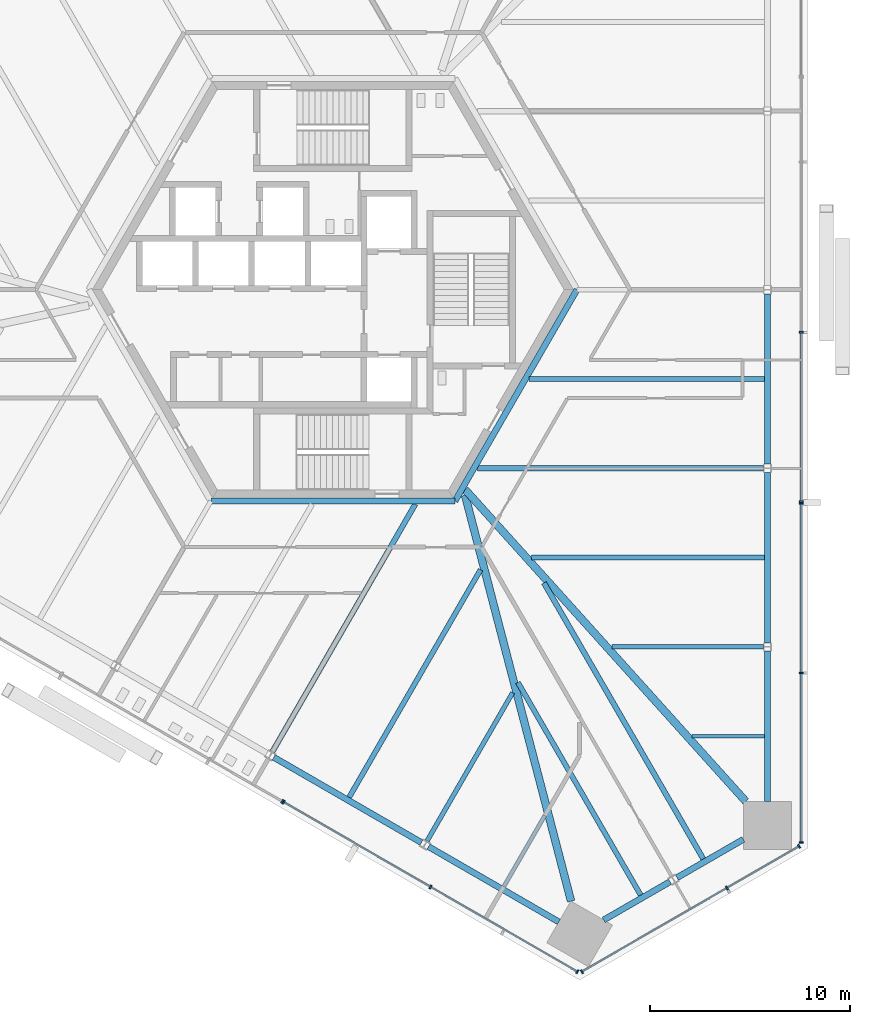
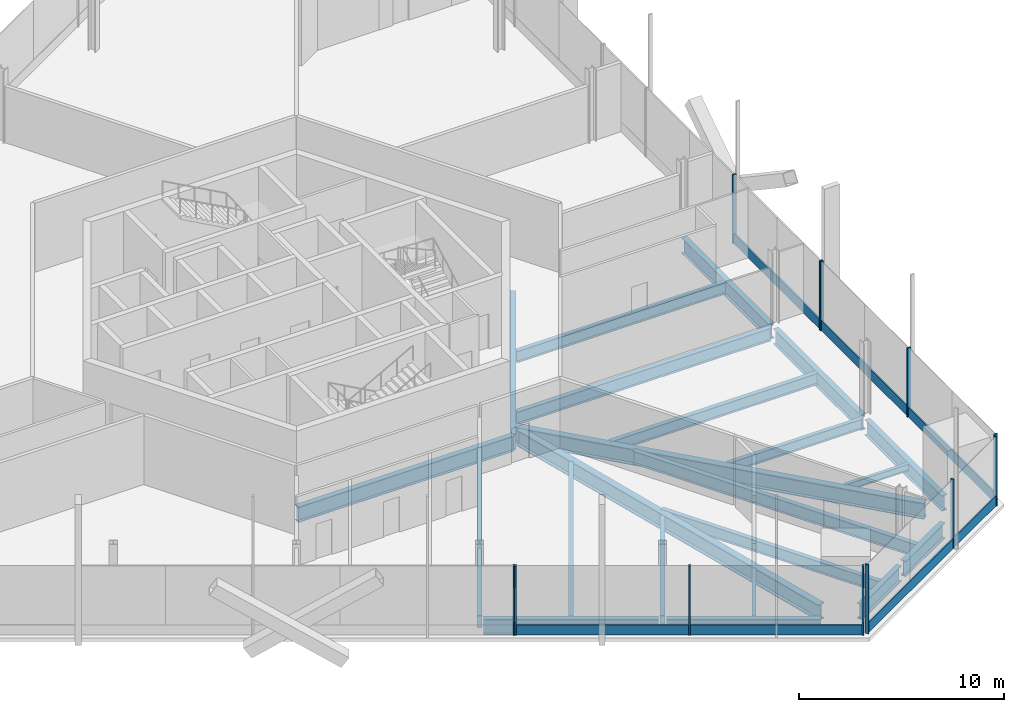
# One storey, part 4 of 18: 22 beams, 19 members, 5 elements without a shape of their own.
"""IFC4 building model written with IfcOpenShell, lengths in metres."""

from ifc_helpers import new_model, si_unit, direction, frame, origin, origin_2d, place, context, subcontext, project, spatial, rectangle, i_section, extrude, source, transform, mapped, material, material_profile, profile_set, type_object, element, aggregate, save


model = new_model("IFC4")

# Units and contexts
model_context = context("Model", 3, precision=1e-05, world=origin(), true_north=direction((0.0, 1.0)))
body_context = subcontext(model_context, "Body", "Model", "MODEL_VIEW")
ifc_project = project(units=[si_unit("LENGTHUNIT", "METRE"), si_unit("AREAUNIT", "SQUARE_METRE"), si_unit("VOLUMEUNIT", "CUBIC_METRE"), si_unit("PLANEANGLEUNIT", "RADIAN"), si_unit("MASSUNIT", "GRAM", prefix="KILO")], contexts=[model_context])

# Site, building, storey
site_placement = place(None, origin())
site = spatial("IfcSite", under=ifc_project, at=site_placement, CompositionType="ELEMENT")
building_placement = place(site_placement, origin())
building = spatial("IfcBuilding", under=site, at=building_placement, Name="Triune Harvest Tower", CompositionType="ELEMENT")
storey_placement = place(building_placement, frame((0.0, 0.0, 33.199951171875)))
storey = spatial("IfcBuildingStorey", under=building, at=storey_placement, Name="L07", CompositionType="ELEMENT", Elevation=33.199951171875)

# Beams
ifc_material_1 = material(Name="Steel ASTM A992 Gr 50", Category="steel")
ifc_material_profile_1 = material_profile(ifc_material_1, i_section(OverallWidth=0.3046875, OverallDepth=0.914306640625, WebThickness=0.0166015625, FlangeThickness=0.02587890625, at=origin_2d()), Name="W36x160")
ifc_profile_set_1 = profile_set([ifc_material_profile_1], Name="Steel ASTM A992 Gr 50")
beam_type_1 = type_object("IfcBeamType", Name="CG-1 Core ring girder W36x160", PredefinedType="BEAM", material=ifc_profile_set_1)
shared_shape_1 = source(origin(), body_context, "Body", "SweptSolid", [
    extrude(i_section(OverallWidth=0.3046875, OverallDepth=0.914306640625, WebThickness=0.0166015625, FlangeThickness=0.02587890625, at=origin_2d()), origin(), (0.0, 0.0, 1.0), 12.176025390625),
])
beam_1_placement = place(storey_placement, frame((6.087890625, -10.544677734375, -0.6572265625), z_axis=(0.5000099932, 0.866019634131, 0.0), x_axis=(-0.866019634131, 0.5000099932, 0.0)))
element("IfcBeam", 1, at=beam_1_placement, inside=storey, type_object=beam_type_1, Name="beam/L07/CG6", PredefinedType="BEAM", context=body_context, shape_type="MappedRepresentation", body=[
    mapped(shared_shape_1, transform((0.0, 0.0, 0.0), scale=1.0)),
])
shared_shape_2 = source(origin(), body_context, "Body", "SweptSolid", [
    extrude(i_section(OverallWidth=0.3046875, OverallDepth=0.914306640625, WebThickness=0.0166015625, FlangeThickness=0.02587890625, at=origin_2d()), origin(), (0.0, 0.0, 1.0), 12.17578125),
])
beam_2_placement = place(storey_placement, frame((-6.087890625, -10.544677734375, -0.6572265625), z_axis=(1.0, 0.0, 0.0), x_axis=(0.0, 1.0, 0.0)))
element("IfcBeam", 2, at=beam_2_placement, inside=storey, type_object=beam_type_1, Name="beam/L07/CG5", PredefinedType="BEAM", context=body_context, shape_type="MappedRepresentation", body=[
    mapped(shared_shape_2, transform((0.0, 0.0, 0.0), scale=1.0)),
])
ifc_material_2 = material(Name="Steel ASTM A992 Gr 50", Category="steel")
ifc_material_profile_2 = material_profile(ifc_material_2, i_section(OverallWidth=0.383544921875, OverallDepth=0.9423828125, WebThickness=0.022216796875, FlangeThickness=0.039794921875, at=origin_2d()), Name="W36x232")
ifc_profile_set_2 = profile_set([ifc_material_profile_2], Name="Steel ASTM A992 Gr 50")
beam_type_2 = type_object("IfcBeamType", Name="HG-1 Hip girder W36x232", PredefinedType="BEAM", material=ifc_profile_set_2)
shared_shape_3 = source(origin(), body_context, "Body", "SweptSolid", [
    extrude(i_section(OverallWidth=0.383544921875, OverallDepth=0.9423828125, WebThickness=0.022216796875, FlangeThickness=0.039794921875, at=origin_2d()), origin(), (0.0, 0.0, 1.0), 20.933349609375),
])
beam_3_placement = place(storey_placement, frame((20.599365234375, -25.530029296875, -0.671142578125), z_axis=(-0.668990505388, 0.743270949049, 0.0), x_axis=(-0.743270949049, -0.668990505388, 0.0)))
element("IfcBeam", 3, at=beam_3_placement, inside=storey, type_object=beam_type_2, Name="beam/L07/HG1", PredefinedType="BEAM", context=body_context, shape_type="MappedRepresentation", body=[
    mapped(shared_shape_3, transform((0.0, 0.0, 0.0), scale=1.0)),
])
shared_shape_4 = source(origin(), body_context, "Body", "SweptSolid", [
    extrude(i_section(OverallWidth=0.383544921875, OverallDepth=0.9423828125, WebThickness=0.022216796875, FlangeThickness=0.039794921875, at=origin_2d()), origin(), (0.0, 0.0, 1.0), 20.931884765625),
])
beam_4_placement = place(storey_placement, frame((11.8828125, -30.50830078125, -0.671142578125), z_axis=(-0.252690148393, 0.967547254094, 0.0), x_axis=(-0.967547254094, -0.252690148393, 0.0)))
element("IfcBeam", 4, at=beam_4_placement, inside=storey, type_object=beam_type_2, Name="beam/L07/HG6", PredefinedType="BEAM", context=body_context, shape_type="MappedRepresentation", body=[
    mapped(shared_shape_4, transform((0.0, 0.0, 0.0), scale=1.0)),
])
ifc_material_3 = material(Name="Steel ASTM A992 Gr 50", Category="steel")
ifc_material_profile_3 = material_profile(ifc_material_3, i_section(OverallWidth=0.22900390625, OverallDepth=0.612060546875, WebThickness=0.011962890625, FlangeThickness=0.01953125, at=origin_2d()), Name="W24x84")
ifc_profile_set_3 = profile_set([ifc_material_profile_3], Name="Steel ASTM A992 Gr 50")
beam_type_3 = type_object("IfcBeamType", Name="JT-3 Floor joist W24x84", PredefinedType="JOIST", material=ifc_profile_set_3)
shared_shape_5 = source(origin(), body_context, "Body", "SweptSolid", [
    extrude(i_section(OverallWidth=0.22900390625, OverallDepth=0.612060546875, WebThickness=0.011962890625, FlangeThickness=0.01953125, at=origin_2d()), origin(), (0.0, 0.0, 1.0), 7.558349609375),
])
beam_5_placement = place(storey_placement, frame((21.476318359375, -17.820068359375, -0.506103515625), z_axis=(-1.0, 0.0, 0.0), x_axis=(0.0, -1.0, 0.0)))
element("IfcBeam", 5, at=beam_5_placement, inside=storey, type_object=beam_type_3, Name="beam/L07/JT2", PredefinedType="JOIST", context=body_context, shape_type="MappedRepresentation", body=[
    mapped(shared_shape_5, transform((0.0, 0.0, 0.0), scale=1.0)),
])
ifc_material_4 = material(Name="Steel ASTM A992 Gr 50", Category="steel")
ifc_material_profile_4 = material_profile(ifc_material_4, i_section(OverallWidth=0.2666015625, OverallDepth=0.7568359375, WebThickness=0.013916015625, FlangeThickness=0.019287109375, at=origin_2d()), Name="W30x108")
ifc_profile_set_4 = profile_set([ifc_material_profile_4], Name="Steel ASTM A992 Gr 50")
beam_type_4 = type_object("IfcBeamType", Name="JT-5 Floor joist W30x108", PredefinedType="JOIST", material=ifc_profile_set_4)
shared_shape_6 = source(origin(), body_context, "Body", "SweptSolid", [
    extrude(i_section(OverallWidth=0.2666015625, OverallDepth=0.7568359375, WebThickness=0.013916015625, FlangeThickness=0.019287109375, at=origin_2d()), origin(), (0.0, 0.0, 1.0), 14.2685546875),
])
for number, where, z_axis, x_axis, name in (
    (6, (21.476318359375, -8.909912109375, -0.578369140625), (-1.0, 0.0, 0.0), (0.0, -1.0, 0.0), "beam/L07/JT4"),
    (7, (-3.02197265625, -23.053955078125, -0.578369140625), (0.499999916269, 0.866025452127, 0.0), (-0.866025452127, 0.499999916269, 0.0), "beam/L07/JT34"),
):
    element("IfcBeam", number, at=place(storey_placement, frame(where, z_axis=z_axis, x_axis=x_axis)), inside=storey, type_object=beam_type_4, Name=name, PredefinedType="JOIST", context=body_context, shape_type="MappedRepresentation", body=[
        mapped(shared_shape_6, transform((0.0, 0.0, 0.0), scale=1.0)),
    ])
shared_shape_7 = source(origin(), body_context, "Body", "SweptSolid", [
    extrude(i_section(OverallWidth=0.22900390625, OverallDepth=0.612060546875, WebThickness=0.011962890625, FlangeThickness=0.01953125, at=origin_2d()), origin(), (0.0, 0.0, 1.0), 8.54736328125),
])
beam_6_placement = place(storey_placement, frame((4.6943359375, -27.509033203125, -0.506103515625), z_axis=(0.499994426748, 0.866028621479, 0.0), x_axis=(-0.866028621479, 0.499994426748, 0.0)))
element("IfcBeam", 8, at=beam_6_placement, inside=storey, type_object=beam_type_3, Name="beam/L07/JT36", PredefinedType="JOIST", context=body_context, shape_type="MappedRepresentation", body=[
    mapped(shared_shape_7, transform((0.0, 0.0, 0.0), scale=1.0)),
])
ifc_material_5 = material(Name="Steel ASTM A992 Gr 50", Category="steel")
ifc_material_profile_5 = material_profile(ifc_material_5, i_section(OverallWidth=0.3046875, OverallDepth=0.914306640625, WebThickness=0.0166015625, FlangeThickness=0.02587890625, at=origin_2d()), Name="W36x160")
ifc_profile_set_5 = profile_set([ifc_material_profile_5], Name="Steel ASTM A992 Gr 50")
beam_type_5 = type_object("IfcBeamType", Name="SB-1 Spandrel beam W36x160", PredefinedType="SPANDREL", material=ifc_profile_set_5)
shared_shape_8 = source(origin(), body_context, "Body", "SweptSolid", [
    extrude(i_section(OverallWidth=0.3046875, OverallDepth=0.914306640625, WebThickness=0.0166015625, FlangeThickness=0.02587890625, at=origin_2d()), origin(), (0.0, 0.0, 1.0), 7.508056640625),
])
beam_7_placement = place(storey_placement, frame((21.679443359375, -25.530029296875, -0.6572265625), z_axis=(0.0, 1.0, 0.0), x_axis=(-1.0, 0.0, 0.0)))
element("IfcBeam", 9, at=beam_7_placement, inside=storey, type_object=beam_type_5, Name="beam/L07/SB1", PredefinedType="SPANDREL", context=body_context, shape_type="MappedRepresentation", body=[
    mapped(shared_shape_8, transform((0.0, 0.0, 0.0), scale=1.0)),
])
shared_shape_9 = source(origin(), body_context, "Body", "SweptSolid", [
    extrude(i_section(OverallWidth=0.3046875, OverallDepth=0.914306640625, WebThickness=0.0166015625, FlangeThickness=0.02587890625, at=origin_2d()), origin(), (0.0, 0.0, 1.0), 8.50634765625),
])
beam_8_placement = place(storey_placement, frame((21.679443359375, -17.6181640625, -0.6572265625), z_axis=(0.0, 1.0, 0.0), x_axis=(-1.0, 0.0, 0.0)))
element("IfcBeam", 10, at=beam_8_placement, inside=storey, type_object=beam_type_5, Name="beam/L07/SB2", PredefinedType="SPANDREL", context=body_context, shape_type="MappedRepresentation", body=[
    mapped(shared_shape_9, transform((0.0, 0.0, 0.0), scale=1.0)),
])
shared_shape_10 = source(origin(), body_context, "Body", "SweptSolid", [
    extrude(i_section(OverallWidth=0.3046875, OverallDepth=0.914306640625, WebThickness=0.0166015625, FlangeThickness=0.02587890625, at=origin_2d()), origin(), (0.0, 0.0, 1.0), 8.506103515625),
])
for number, where, z_axis, x_axis, name in (
    (11, (21.679443359375, -8.7080078125, -0.6572265625), (0.0, 1.0, 0.0), (-1.0, 0.0, 0.0), "beam/L07/SB3"),
    (12, (-2.948486328125, -23.3310546875, -0.6572265625), (0.866030246746, -0.49999161165, 0.0), (0.49999161165, 0.866030246746, 0.0), "beam/L07/SB21"),
):
    element("IfcBeam", number, at=place(storey_placement, frame(where, z_axis=z_axis, x_axis=x_axis)), inside=storey, type_object=beam_type_5, Name=name, PredefinedType="SPANDREL", context=body_context, shape_type="MappedRepresentation", body=[
        mapped(shared_shape_10, transform((0.0, 0.0, 0.0), scale=1.0)),
    ])
shared_shape_11 = source(origin(), body_context, "Body", "SweptSolid", [
    extrude(i_section(OverallWidth=0.3046875, OverallDepth=0.914306640625, WebThickness=0.0166015625, FlangeThickness=0.02587890625, at=origin_2d()), origin(), (0.0, 0.0, 1.0), 3.822265625),
])
beam_9_placement = place(storey_placement, frame((17.169189453125, -29.333984375, -0.6572265625), z_axis=(0.866033487859, 0.499985997711, 0.0), x_axis=(-0.499985997711, 0.866033487859, 0.0)))
element("IfcBeam", 13, at=beam_9_placement, inside=storey, type_object=beam_type_5, Name="beam/L07/SB24", PredefinedType="SPANDREL", context=body_context, shape_type="MappedRepresentation", body=[
    mapped(shared_shape_11, transform((0.0, 0.0, 0.0), scale=1.0)),
])
shared_shape_12 = source(origin(), body_context, "Body", "SweptSolid", [
    extrude(i_section(OverallWidth=0.3046875, OverallDepth=0.914306640625, WebThickness=0.0166015625, FlangeThickness=0.02587890625, at=origin_2d()), origin(), (0.0, 0.0, 1.0), 3.822509765625),
])
beam_10_placement = place(storey_placement, frame((13.509033203125, -31.447265625, -0.6572265625), z_axis=(0.866005830769, 0.500033899925, 0.0), x_axis=(-0.500033899925, 0.866005830769, 0.0)))
element("IfcBeam", 14, at=beam_10_placement, inside=storey, type_object=beam_type_5, Name="beam/L07/SB23", PredefinedType="SPANDREL", context=body_context, shape_type="MappedRepresentation", body=[
    mapped(shared_shape_12, transform((0.0, 0.0, 0.0), scale=1.0)),
])
shared_shape_13 = source(origin(), body_context, "Body", "SweptSolid", [
    extrude(i_section(OverallWidth=0.3046875, OverallDepth=0.914306640625, WebThickness=0.0166015625, FlangeThickness=0.02587890625, at=origin_2d()), origin(), (0.0, 0.0, 1.0), 7.50830078125),
])
beam_11_placement = place(storey_placement, frame((4.767578125, -27.785888671875, -0.6572265625), z_axis=(0.866027474485, -0.499996413425, 0.0), x_axis=(0.499996413425, 0.866027474485, 0.0)))
element("IfcBeam", 15, at=beam_11_placement, inside=storey, type_object=beam_type_5, Name="beam/L07/SB22", PredefinedType="SPANDREL", context=body_context, shape_type="MappedRepresentation", body=[
    mapped(shared_shape_13, transform((0.0, 0.0, 0.0), scale=1.0)),
])
ifc_material_6 = material(Name="Steel ASTM A992 Gr 50", Category="steel")
ifc_material_profile_6 = material_profile(ifc_material_6, i_section(OverallWidth=0.180908203125, OverallDepth=0.41650390625, WebThickness=0.010986328125, FlangeThickness=0.01806640625, at=origin_2d()), Name="W16x57")
ifc_profile_set_6 = profile_set([ifc_material_profile_6], Name="Steel ASTM A992 Gr 50")
beam_type_6 = type_object("IfcBeamType", Name="JT-1 Floor joist W16x57", PredefinedType="JOIST", material=ifc_profile_set_6)
shared_shape_14 = source(origin(), body_context, "Body", "SweptSolid", [
    extrude(i_section(OverallWidth=0.180908203125, OverallDepth=0.41650390625, WebThickness=0.010986328125, FlangeThickness=0.01806640625, at=origin_2d()), origin(), (0.0, 0.0, 1.0), 3.599365234375),
])
beam_12_placement = place(storey_placement, frame((21.527099609375, -22.27490234375, -0.408203125), z_axis=(-1.0, 0.0, 0.0), x_axis=(0.0, -1.0, 0.0)))
element("IfcBeam", 16, at=beam_12_placement, inside=storey, type_object=beam_type_6, Name="beam/L07/JT1", PredefinedType="JOIST", context=body_context, shape_type="MappedRepresentation", body=[
    mapped(shared_shape_14, transform((0.0, 0.0, 0.0), scale=1.0)),
])
ifc_material_7 = material(Name="Steel ASTM A992 Gr 50", Category="steel")
ifc_material_profile_7 = material_profile(ifc_material_7, i_section(OverallWidth=0.253662109375, OverallDepth=0.683349609375, WebThickness=0.012451171875, FlangeThickness=0.01904296875, at=origin_2d()), Name="W27x94")
ifc_profile_set_7 = profile_set([ifc_material_profile_7], Name="Steel ASTM A992 Gr 50")
beam_type_7 = type_object("IfcBeamType", Name="JT-4 Floor joist W27x94", PredefinedType="JOIST", material=ifc_profile_set_7)
shared_shape_15 = source(origin(), body_context, "Body", "SweptSolid", [
    extrude(i_section(OverallWidth=0.253662109375, OverallDepth=0.683349609375, WebThickness=0.012451171875, FlangeThickness=0.01904296875, at=origin_2d()), origin(), (0.0, 0.0, 1.0), 11.619140625),
])
beam_13_placement = place(storey_placement, frame((21.527099609375, -13.364990234375, -0.54150390625), z_axis=(-1.0, 0.0, 0.0), x_axis=(0.0, -1.0, 0.0)))
element("IfcBeam", 17, at=beam_13_placement, inside=storey, type_object=beam_type_7, Name="beam/L07/JT3", PredefinedType="JOIST", context=body_context, shape_type="MappedRepresentation", body=[
    mapped(shared_shape_15, transform((0.0, 0.0, 0.0), scale=1.0)),
])
shared_shape_16 = source(origin(), body_context, "Body", "SweptSolid", [
    extrude(i_section(OverallWidth=0.253662109375, OverallDepth=0.683349609375, WebThickness=0.012451171875, FlangeThickness=0.01904296875, at=origin_2d()), origin(), (0.0, 0.0, 1.0), 11.747314453125),
])
beam_14_placement = place(storey_placement, frame((21.527099609375, -4.455078125, -0.54150390625), z_axis=(-1.0, 0.0, 0.0), x_axis=(0.0, -1.0, 0.0)))
element("IfcBeam", 18, at=beam_14_placement, inside=storey, type_object=beam_type_7, Name="beam/L07/JT5", PredefinedType="JOIST", context=body_context, shape_type="MappedRepresentation", body=[
    mapped(shared_shape_16, transform((0.0, 0.0, 0.0), scale=1.0)),
])
shared_shape_17 = source(origin(), body_context, "Body", "SweptSolid", [
    extrude(i_section(OverallWidth=0.253662109375, OverallDepth=0.683349609375, WebThickness=0.012451171875, FlangeThickness=0.01904296875, at=origin_2d()), origin(), (0.0, 0.0, 1.0), 13.110107421875),
])
beam_15_placement = place(storey_placement, frame((0.810791015625, -25.325439453125, -0.54150390625), z_axis=(0.500012613137, 0.866018121464, 0.0), x_axis=(-0.866018121464, 0.500012613137, 0.0)))
element("IfcBeam", 19, at=beam_15_placement, inside=storey, type_object=beam_type_7, Name="beam/L07/JT35", PredefinedType="JOIST", context=body_context, shape_type="MappedRepresentation", body=[
    mapped(shared_shape_17, transform((0.0, 0.0, 0.0), scale=1.0)),
])
shared_shape_18 = source(origin(), body_context, "Body", "SweptSolid", [
    extrude(i_section(OverallWidth=0.180908203125, OverallDepth=0.41650390625, WebThickness=0.010986328125, FlangeThickness=0.01806640625, at=origin_2d()), origin(), (0.0, 0.0, 1.0), 4.08642578125),
])
beam_16_placement = place(storey_placement, frame((8.527099609375, -29.780517578125, -0.408203125), z_axis=(0.500013794443, 0.866017439413, 0.0), x_axis=(-0.866017439413, 0.500013794443, 0.0)))
element("IfcBeam", 20, at=beam_16_placement, inside=storey, type_object=beam_type_6, Name="beam/L07/JT37", PredefinedType="JOIST", context=body_context, shape_type="MappedRepresentation", body=[
    mapped(shared_shape_18, transform((0.0, 0.0, 0.0), scale=1.0)),
])
shared_shape_19 = source(origin(), body_context, "Body", "SweptSolid", [
    extrude(i_section(OverallWidth=0.253662109375, OverallDepth=0.683349609375, WebThickness=0.012451171875, FlangeThickness=0.01904296875, at=origin_2d()), origin(), (0.0, 0.0, 1.0), 12.2509765625),
])
beam_17_placement = place(storey_placement, frame((15.3564453125, -30.20458984375, -0.54150390625), z_axis=(-0.500001335473, 0.866024632748, 0.0), x_axis=(-0.866024632748, -0.500001335473, 0.0)))
element("IfcBeam", 21, at=beam_17_placement, inside=storey, type_object=beam_type_7, Name="beam/L07/JT38", PredefinedType="JOIST", context=body_context, shape_type="MappedRepresentation", body=[
    mapped(shared_shape_19, transform((0.0, 0.0, 0.0), scale=1.0)),
])
shared_shape_20 = source(origin(), body_context, "Body", "SweptSolid", [
    extrude(i_section(OverallWidth=0.2666015625, OverallDepth=0.7568359375, WebThickness=0.013916015625, FlangeThickness=0.019287109375, at=origin_2d()), origin(), (0.0, 0.0, 1.0), 15.90771484375),
])
beam_18_placement = place(storey_placement, frame((18.479736328125, -28.4013671875, -0.578369140625), z_axis=(-0.499996565981, 0.866027386407, 0.0), x_axis=(-0.866027386407, -0.499996565981, 0.0)))
element("IfcBeam", 22, at=beam_18_placement, inside=storey, type_object=beam_type_4, Name="beam/L07/JT39", PredefinedType="JOIST", context=body_context, shape_type="MappedRepresentation", body=[
    mapped(shared_shape_20, transform((0.0, 0.0, 0.0), scale=1.0)),
])

# Curtain wall, members
ifc_material_8 = material(Name="Aluminium bronze anodised", Category="aluminium")
curtain_wall_type_1 = type_object("IfcCurtainWallType", Name="CW-3 Farm floor curtain wall", PredefinedType="NOTDEFINED", material=ifc_material_8)
curtain_wall_1_placement = place(storey_placement, origin())
curtain_wall_1 = element("IfcCurtainWall", 23, at=curtain_wall_1_placement, inside=storey, type_object=curtain_wall_type_1, Name="CW-3 B1-F1 L07 run 1")
ifc_material_9 = material(Name="Aluminium bronze anodised", Category="aluminium")
ifc_material_profile_8 = material_profile(ifc_material_9, rectangle(XDim=0.199951171875, YDim=0.080078125, at=origin_2d()), Name="MU-3 mullion 80 x 200")
ifc_profile_set_8 = profile_set([ifc_material_profile_8], Name="Aluminium bronze anodised")
member_type_1 = type_object("IfcMemberType", Name="MU-3 mullion 80 x 200", PredefinedType="MULLION", material=ifc_profile_set_8)
shared_shape_21 = source(origin(), body_context, "Body", "SweptSolid", [
    extrude(rectangle(XDim=0.199951171875, YDim=0.080078125, at=origin_2d()), origin(), (0.0, 0.0, 1.0), 4.10009765625),
])
member_1_placement = place(storey_placement, frame((23.371337890625, -27.576904296875, 0.0), z_axis=(0.0, 0.0, 1.0), x_axis=(-1.0, 0.0, 0.0)))
member_1 = element("IfcMember", 24, at=member_1_placement, type_object=member_type_1, Name="CW-3 mullion B1-F1 1.1", PredefinedType="MULLION", context=body_context, shape_type="MappedRepresentation", body=[
    mapped(shared_shape_21, transform((0.0, 0.0, 0.0), scale=1.0)),
])
member_2_placement = place(storey_placement, frame((23.371337890625, -19.119384765625, 0.0), z_axis=(0.0, 0.0, 1.0), x_axis=(-1.0, 0.0, 0.0)))
member_2 = element("IfcMember", 25, at=member_2_placement, type_object=member_type_1, Name="CW-3 mullion B1-F1 1.3", PredefinedType="MULLION", context=body_context, shape_type="MappedRepresentation", body=[
    mapped(shared_shape_21, transform((0.0, 0.0, 0.0), scale=1.0)),
])
member_3_placement = place(storey_placement, frame((23.371337890625, -10.661865234375, 0.0), z_axis=(0.0, 0.0, 1.0), x_axis=(-1.0, 0.0, 0.0)))
member_3 = element("IfcMember", 26, at=member_3_placement, type_object=member_type_1, Name="CW-3 mullion B1-F1 1.5", PredefinedType="MULLION", context=body_context, shape_type="MappedRepresentation", body=[
    mapped(shared_shape_21, transform((0.0, 0.0, 0.0), scale=1.0)),
])

ifc_material_10 = material(Name="Aluminium bronze anodised", Category="aluminium")
curtain_wall_type_2 = type_object("IfcCurtainWallType", Name="CW-8 Farm floor curtain wall with insulated spandrel infill", PredefinedType="NOTDEFINED", material=ifc_material_10)
curtain_wall_2_placement = place(storey_placement, origin())
curtain_wall_2 = element("IfcCurtainWall", 27, at=curtain_wall_2_placement, inside=storey, type_object=curtain_wall_type_2, Name="CW-8 B1-F1 L07 run 1001")
member_4_placement = place(storey_placement, frame((23.371337890625, -10.581787109375, 0.0), z_axis=(0.0, 0.0, 1.0), x_axis=(-1.0, 0.0, 0.0)))
member_4 = element("IfcMember", 28, at=member_4_placement, type_object=member_type_1, Name="CW-8 mullion B1-F1 1001.1", PredefinedType="MULLION", context=body_context, shape_type="MappedRepresentation", body=[
    mapped(shared_shape_21, transform((0.0, 0.0, 0.0), scale=1.0)),
])
member_5_placement = place(storey_placement, frame((23.371337890625, -2.124267578125, 0.0), z_axis=(0.0, 0.0, 1.0), x_axis=(-1.0, 0.0, 0.0)))
member_5 = element("IfcMember", 29, at=member_5_placement, type_object=member_type_1, Name="CW-8 mullion B1-F1 1001.3", PredefinedType="MULLION", context=body_context, shape_type="MappedRepresentation", body=[
    mapped(shared_shape_21, transform((0.0, 0.0, 0.0), scale=1.0)),
])

# Curtain wall, member
curtain_wall_3_placement = place(storey_placement, origin())
curtain_wall_3 = element("IfcCurtainWall", 30, at=curtain_wall_3_placement, inside=storey, type_object=curtain_wall_type_2, Name="CW-8 B1-F5 L07 run 1001")
member_6_placement = place(storey_placement, frame((-2.521484375, -25.531005859375, 0.0), z_axis=(0.0, 0.0, 1.0), x_axis=(0.499997905997, 0.866026612754, 0.0)))
member_6 = element("IfcMember", 31, at=member_6_placement, type_object=member_type_1, Name="CW-8 mullion B1-F5 1001.6", PredefinedType="MULLION", context=body_context, shape_type="MappedRepresentation", body=[
    mapped(shared_shape_21, transform((0.0, 0.0, 0.0), scale=1.0)),
])
aggregate(curtain_wall_3, [member_6])

# Curtain wall, members
curtain_wall_4_placement = place(storey_placement, origin())
curtain_wall_4 = element("IfcCurtainWall", 32, at=curtain_wall_4_placement, inside=storey, type_object=curtain_wall_type_1, Name="CW-3 B1-F5 L07 run 2001")
member_7_placement = place(storey_placement, frame((-2.4521484375, -25.571044921875, 0.0), z_axis=(0.0, 0.0, 1.0), x_axis=(0.500001122288, 0.86602475583, 0.0)))
member_7 = element("IfcMember", 33, at=member_7_placement, type_object=member_type_1, Name="CW-3 mullion B1-F5 2001.1", PredefinedType="MULLION", context=body_context, shape_type="MappedRepresentation", body=[
    mapped(shared_shape_21, transform((0.0, 0.0, 0.0), scale=1.0)),
])
member_8_placement = place(storey_placement, frame((4.8720703125, -29.7998046875, 0.0), z_axis=(0.0, 0.0, 1.0), x_axis=(0.500001122288, 0.86602475583, 0.0)))
member_8 = element("IfcMember", 34, at=member_8_placement, type_object=member_type_1, Name="CW-3 mullion B1-F5 2001.3", PredefinedType="MULLION", context=body_context, shape_type="MappedRepresentation", body=[
    mapped(shared_shape_21, transform((0.0, 0.0, 0.0), scale=1.0)),
])
member_9_placement = place(storey_placement, frame((12.196533203125, -34.028564453125, 0.0), z_axis=(0.0, 0.0, 1.0), x_axis=(0.500001122288, 0.86602475583, 0.0)))
member_9 = element("IfcMember", 35, at=member_9_placement, type_object=member_type_1, Name="CW-3 mullion B1-F5 2001.5", PredefinedType="MULLION", context=body_context, shape_type="MappedRepresentation", body=[
    mapped(shared_shape_21, transform((0.0, 0.0, 0.0), scale=1.0)),
])

curtain_wall_5_placement = place(storey_placement, origin())
curtain_wall_5 = element("IfcCurtainWall", 36, at=curtain_wall_5_placement, inside=storey, type_object=curtain_wall_type_1, Name="CW-3 B1-F6 L07 run 1")
member_10_placement = place(storey_placement, frame((12.421630859375, -34.028564453125, 0.0), z_axis=(0.0, 0.0, 1.0), x_axis=(-0.499998715149, 0.866026145592, 0.0)))
member_10 = element("IfcMember", 37, at=member_10_placement, type_object=member_type_1, Name="CW-3 mullion B1-F6 1.1", PredefinedType="MULLION", context=body_context, shape_type="MappedRepresentation", body=[
    mapped(shared_shape_21, transform((0.0, 0.0, 0.0), scale=1.0)),
])
member_11_placement = place(storey_placement, frame((19.657958984375, -29.850830078125, 0.0), z_axis=(0.0, 0.0, 1.0), x_axis=(-0.499998715149, 0.866026145592, 0.0)))
member_11 = element("IfcMember", 38, at=member_11_placement, type_object=member_type_1, Name="CW-3 mullion B1-F6 1.3", PredefinedType="MULLION", context=body_context, shape_type="MappedRepresentation", body=[
    mapped(shared_shape_21, transform((0.0, 0.0, 0.0), scale=1.0)),
])
member_12_placement = place(storey_placement, frame((23.2587890625, -27.771728515625, 0.0), z_axis=(0.0, 0.0, 1.0), x_axis=(-0.499998715149, 0.866026145592, 0.0)))
member_12 = element("IfcMember", 39, at=member_12_placement, type_object=member_type_1, Name="CW-3 mullion B1-F6 1.4", PredefinedType="MULLION", context=body_context, shape_type="MappedRepresentation", body=[
    mapped(shared_shape_21, transform((0.0, 0.0, 0.0), scale=1.0)),
])
ifc_material_11 = material(Name="Aluminium bronze anodised", Category="aluminium")
ifc_material_profile_9 = material_profile(ifc_material_11, rectangle(XDim=0.090087890625, YDim=0.60009765625, at=origin_2d()), Name="TR-3 transom 90 x 600")
ifc_profile_set_9 = profile_set([ifc_material_profile_9], Name="Aluminium bronze anodised")
member_type_2 = type_object("IfcMemberType", Name="TR-3 transom 90 x 600", PredefinedType="USERDEFINED", material=ifc_profile_set_9)
shared_shape_22 = source(origin(), body_context, "Body", "SweptSolid", [
    extrude(rectangle(XDim=0.090087890625, YDim=0.60009765625, at=origin_2d()), origin(), (0.0, 0.0, 1.0), 4.077880859375),
])
member_13_placement = place(storey_placement, frame((19.692626953125, -29.830810546875, 0.300048828125), z_axis=(0.86600911372, 0.500028214158, 0.0), x_axis=(-0.500028214158, 0.86600911372, 0.0)))
member_13 = element("IfcMember", 40, at=member_13_placement, type_object=member_type_2, Name="CW-3 transom B1-F6 1.2", ObjectType="TRANSOM", PredefinedType="USERDEFINED", context=body_context, shape_type="MappedRepresentation", body=[
    mapped(shared_shape_22, transform((0.0, 0.0, 0.0), scale=1.0)),
])
shared_shape_23 = source(origin(), body_context, "Body", "SweptSolid", [
    extrude(rectangle(XDim=0.090087890625, YDim=0.60009765625, at=origin_2d()), origin(), (0.0, 0.0, 1.0), 8.275634765625),
])
member_14_placement = place(storey_placement, frame((12.456298828125, -34.008544921875, 0.300048828125), z_axis=(0.866034275465, 0.499984633485, 0.0), x_axis=(-0.499984633485, 0.866034275465, 0.0)))
member_14 = element("IfcMember", 41, at=member_14_placement, type_object=member_type_2, Name="CW-3 transom B1-F6 1.1", ObjectType="TRANSOM", PredefinedType="USERDEFINED", context=body_context, shape_type="MappedRepresentation", body=[
    mapped(shared_shape_23, transform((0.0, 0.0, 0.0), scale=1.0)),
])
aggregate(curtain_wall_5, [member_10, member_11, member_12, member_14, member_13])

# Member
shared_shape_24 = source(origin(), body_context, "Body", "SweptSolid", [
    extrude(rectangle(XDim=0.090087890625, YDim=0.60009765625, at=origin_2d()), origin(), (0.0, 0.0, 1.0), 8.37744140625),
])
member_15_placement = place(storey_placement, frame((23.371337890625, -19.079345703125, 0.300048828125), z_axis=(0.0, 1.0, 0.0), x_axis=(-1.0, 0.0, 0.0)))
member_15 = element("IfcMember", 42, at=member_15_placement, type_object=member_type_2, Name="CW-3 transom B1-F1 1.2", ObjectType="TRANSOM", PredefinedType="USERDEFINED", context=body_context, shape_type="MappedRepresentation", body=[
    mapped(shared_shape_24, transform((0.0, 0.0, 0.0), scale=1.0)),
])

member_16_placement = place(storey_placement, frame((23.371337890625, -10.541748046875, 0.300048828125), z_axis=(0.0, 1.0, 0.0), x_axis=(-1.0, 0.0, 0.0)))
member_16 = element("IfcMember", 43, at=member_16_placement, type_object=member_type_2, Name="CW-8 transom B1-F1 1001.1", ObjectType="TRANSOM", PredefinedType="USERDEFINED", context=body_context, shape_type="MappedRepresentation", body=[
    mapped(shared_shape_24, transform((0.0, 0.0, 0.0), scale=1.0)),
])

aggregate(curtain_wall_2, [member_4, member_5, member_16])

member_17_placement = place(storey_placement, frame((-2.417724609375, -25.591064453125, 0.300048828125), z_axis=(0.866026892193, -0.499997421992, 0.0), x_axis=(0.499997421992, 0.866026892193, 0.0)))
member_17 = element("IfcMember", 44, at=member_17_placement, type_object=member_type_2, Name="CW-3 transom B1-F5 2001.1", ObjectType="TRANSOM", PredefinedType="USERDEFINED", context=body_context, shape_type="MappedRepresentation", body=[
    mapped(shared_shape_24, transform((0.0, 0.0, 0.0), scale=1.0)),
])

member_18_placement = place(storey_placement, frame((4.90673828125, -29.81982421875, 0.300048828125), z_axis=(0.866026892193, -0.499997421992, 0.0), x_axis=(0.499997421992, 0.866026892193, 0.0)))
member_18 = element("IfcMember", 45, at=member_18_placement, type_object=member_type_2, Name="CW-3 transom B1-F5 2001.2", ObjectType="TRANSOM", PredefinedType="USERDEFINED", context=body_context, shape_type="MappedRepresentation", body=[
    mapped(shared_shape_24, transform((0.0, 0.0, 0.0), scale=1.0)),
])

aggregate(curtain_wall_4, [member_7, member_8, member_9, member_17, member_18])

shared_shape_25 = source(origin(), body_context, "Body", "SweptSolid", [
    extrude(rectangle(XDim=0.090087890625, YDim=0.60009765625, at=origin_2d()), origin(), (0.0, 0.0, 1.0), 8.377685546875),
])
member_19_placement = place(storey_placement, frame((23.371337890625, -27.536865234375, 0.300048828125), z_axis=(0.0, 1.0, 0.0), x_axis=(-1.0, 0.0, 0.0)))
member_19 = element("IfcMember", 46, at=member_19_placement, type_object=member_type_2, Name="CW-3 transom B1-F1 1.1", ObjectType="TRANSOM", PredefinedType="USERDEFINED", context=body_context, shape_type="MappedRepresentation", body=[
    mapped(shared_shape_25, transform((0.0, 0.0, 0.0), scale=1.0)),
])

aggregate(curtain_wall_1, [member_1, member_2, member_3, member_19, member_15])

save(model, "model.ifc")
